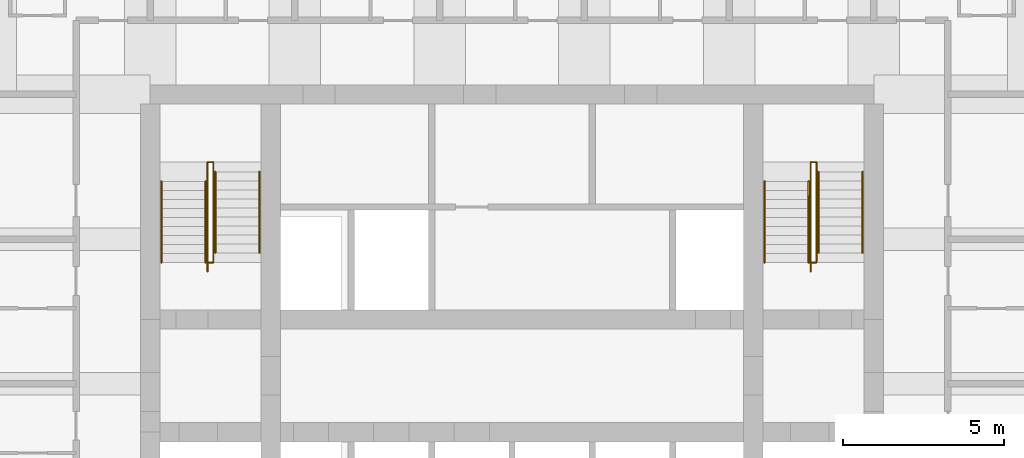
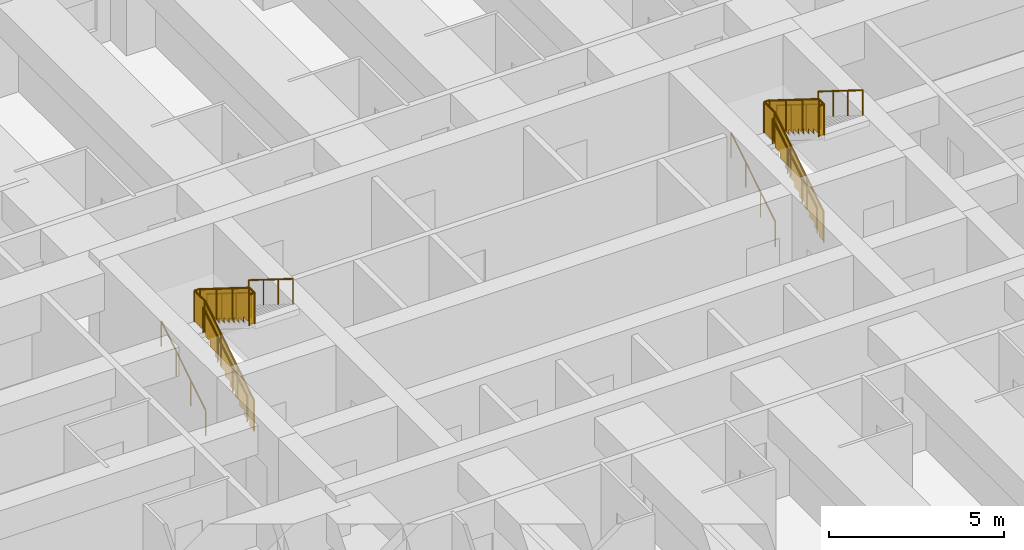
# One storey, part 8 of 8: 12 railings.
"""IFC4 building model written with IfcOpenShell, lengths in metres."""

from ifc_helpers import new_model, si_unit, direction, frame, origin, origin_2d, place, context, subcontext, project, spatial, polyline, circle, outline, extrude, material, type_object, element, save


model = new_model("IFC4")

# Units and contexts
model_context = context("Model", 3, precision=1e-05, world=origin(), true_north=direction((0.0, 1.0)))
body_context = subcontext(model_context, "Body", "Model", "MODEL_VIEW")
ifc_project = project(units=[si_unit("LENGTHUNIT", "METRE"), si_unit("AREAUNIT", "SQUARE_METRE"), si_unit("VOLUMEUNIT", "CUBIC_METRE"), si_unit("PLANEANGLEUNIT", "RADIAN"), si_unit("MASSUNIT", "GRAM", prefix="KILO")], contexts=[model_context])

# Site, building, storey
site_placement = place(None, origin())
site = spatial("IfcSite", under=ifc_project, at=site_placement, CompositionType="ELEMENT")
building_placement = place(site_placement, origin())
building = spatial("IfcBuilding", under=site, at=building_placement, Name="Kilele Tower Hotel", CompositionType="ELEMENT")
storey_placement = place(building_placement, frame((0.0, 0.0, 36.699951171875)))
storey = spatial("IfcBuildingStorey", under=building, at=storey_placement, Name="L07", CompositionType="ELEMENT", Elevation=36.699951171875)

# Railings
ifc_material_1 = material(Name="Steel handrail", Category="steel")
railing_type_1 = type_object("IfcRailingType", Name="Handrail 900", PredefinedType="HANDRAIL", material=ifc_material_1)
for number, where, name in (
    (1, (13.85009765625, 21.77490234375, 0.175048828125), "Handrail ST1 flight 1"),
    (2, (15.22509765625, 21.77490234375, 0.175048828125), "Handrail ST1 flight 1"),
):
    element("IfcRailing", number, at=place(storey_placement, frame(where)), inside=storey, type_object=railing_type_1, Name=name, PredefinedType="HANDRAIL", context=body_context, shape_type="SweptSolid", body=[
        extrude(circle(Radius=0.02490234375, at=origin_2d()), frame((0.0, 0.0, 0.875), z_axis=(0.0, 0.848007534815, 0.529984170421), x_axis=(-1.0, 0.0, 0.0)), (0.0, 0.0, 1.0), 2.9716796875),
        extrude(circle(Radius=0.02001953125, at=origin_2d()), origin(), (0.0, 0.0, 1.0), 0.849853515625),
        extrude(circle(Radius=0.02001953125, at=origin_2d()), frame((0.0, 0.840087890625, 0.52490234375)), (0.0, 0.0, 1.0), 0.849853515625),
        extrude(circle(Radius=0.02001953125, at=origin_2d()), frame((0.0, 1.679931640625, 1.050048828125)), (0.0, 0.0, 1.0), 0.849853515625),
        extrude(circle(Radius=0.02001953125, at=origin_2d()), frame((0.0, 2.52001953125, 1.574951171875)), (0.0, 0.0, 1.0), 0.849853515625),
    ])
for number, where, name in (
    (3, (15.52490234375, 24.594970703125, 1.925048828125), "Handrail ST1 flight 2"),
    (4, (16.89990234375, 24.594970703125, 1.925048828125), "Handrail ST1 flight 2"),
):
    element("IfcRailing", number, at=place(storey_placement, frame(where)), inside=storey, type_object=railing_type_1, Name=name, PredefinedType="HANDRAIL", context=body_context, shape_type="SweptSolid", body=[
        extrude(circle(Radius=0.02490234375, at=origin_2d()), frame((0.0, 0.0, 0.875), z_axis=(0.0, -0.848007534815, 0.529984170421), x_axis=(1.0, 0.0, 0.0)), (0.0, 0.0, 1.0), 2.9716796875),
        extrude(circle(Radius=0.02001953125, at=origin_2d()), origin(), (0.0, 0.0, 1.0), 0.849853515625),
        extrude(circle(Radius=0.02001953125, at=origin_2d()), frame((0.0, -0.840087890625, 0.52490234375)), (0.0, 0.0, 1.0), 0.849853515625),
        extrude(circle(Radius=0.02001953125, at=origin_2d()), frame((0.0, -1.679931640625, 1.050048828125)), (0.0, 0.0, 1.0), 0.849853515625),
        extrude(circle(Radius=0.02001953125, at=origin_2d()), frame((0.0, -2.52001953125, 1.574951171875)), (0.0, 0.0, 1.0), 0.849853515625),
    ])
for number, where, name in (
    (5, (32.60009765625, 21.77490234375, 0.175048828125), "Handrail ST2 flight 1"),
    (6, (33.97509765625, 21.77490234375, 0.175048828125), "Handrail ST2 flight 1"),
):
    element("IfcRailing", number, at=place(storey_placement, frame(where)), inside=storey, type_object=railing_type_1, Name=name, PredefinedType="HANDRAIL", context=body_context, shape_type="SweptSolid", body=[
        extrude(circle(Radius=0.02490234375, at=origin_2d()), frame((0.0, 0.0, 0.875), z_axis=(0.0, 0.848007534815, 0.529984170421), x_axis=(-1.0, 0.0, 0.0)), (0.0, 0.0, 1.0), 2.9716796875),
        extrude(circle(Radius=0.02001953125, at=origin_2d()), origin(), (0.0, 0.0, 1.0), 0.849853515625),
        extrude(circle(Radius=0.02001953125, at=origin_2d()), frame((0.0, 0.840087890625, 0.52490234375)), (0.0, 0.0, 1.0), 0.849853515625),
        extrude(circle(Radius=0.02001953125, at=origin_2d()), frame((0.0, 1.679931640625, 1.050048828125)), (0.0, 0.0, 1.0), 0.849853515625),
        extrude(circle(Radius=0.02001953125, at=origin_2d()), frame((0.0, 2.52001953125, 1.574951171875)), (0.0, 0.0, 1.0), 0.849853515625),
    ])
for number, where, name in (
    (7, (34.27490234375, 24.594970703125, 1.925048828125), "Handrail ST2 flight 2"),
    (8, (35.64990234375, 24.594970703125, 1.925048828125), "Handrail ST2 flight 2"),
):
    element("IfcRailing", number, at=place(storey_placement, frame(where)), inside=storey, type_object=railing_type_1, Name=name, PredefinedType="HANDRAIL", context=body_context, shape_type="SweptSolid", body=[
        extrude(circle(Radius=0.02490234375, at=origin_2d()), frame((0.0, 0.0, 0.875), z_axis=(0.0, -0.848007534815, 0.529984170421), x_axis=(1.0, 0.0, 0.0)), (0.0, 0.0, 1.0), 2.9716796875),
        extrude(circle(Radius=0.02001953125, at=origin_2d()), origin(), (0.0, 0.0, 1.0), 0.849853515625),
        extrude(circle(Radius=0.02001953125, at=origin_2d()), frame((0.0, -0.840087890625, 0.52490234375)), (0.0, 0.0, 1.0), 0.849853515625),
        extrude(circle(Radius=0.02001953125, at=origin_2d()), frame((0.0, -1.679931640625, 1.050048828125)), (0.0, 0.0, 1.0), 0.849853515625),
        extrude(circle(Radius=0.02001953125, at=origin_2d()), frame((0.0, -2.52001953125, 1.574951171875)), (0.0, 0.0, 1.0), 0.849853515625),
    ])
ifc_material_2 = material(Name="Steel guard", Category="steel")
railing_type_2 = type_object("IfcRailingType", Name="Stair guard 1100", PredefinedType="GUARDRAIL", material=ifc_material_2)
railing_1_placement = place(storey_placement, frame((15.284912109375, 21.4951171875, 0.0)))
element("IfcRailing", 9, at=railing_1_placement, inside=storey, type_object=railing_type_2, Name="Stair well guard ST1 flight 1", PredefinedType="GUARDRAIL", context=body_context, shape_type="SweptSolid", body=[
    extrude(circle(Radius=0.02490234375, at=origin_2d()), frame((0.0, 0.0, 1.0751953125), z_axis=(0.0, 0.847981687118, 0.530025526095), x_axis=(-1.0, 0.0, 0.0)), (0.0, 0.0, 1.0), 3.3017578125),
    extrude(circle(Radius=0.02490234375, at=origin_2d()), frame((0.0, 2.7998046875, 2.8251953125), z_axis=(0.0, 1.0, 0.0), x_axis=(-1.0, 0.0, 0.0)), (0.0, 0.0, 1.0), 0.60009765625),
    extrude(circle(Radius=0.02490234375, at=origin_2d()), frame((0.0, 3.39990234375, 2.8251953125), z_axis=(1.0, 0.0, 0.0), x_axis=(0.0, 1.0, 0.0)), (0.0, 0.0, 1.0), 0.18017578125),
    extrude(circle(Radius=0.02490234375, at=origin_2d()), origin(), (0.0, 0.0, 1.0), 1.050048828125),
    extrude(circle(Radius=0.02490234375, at=origin_2d()), frame((0.0, 0.933349609375, 0.583251953125)), (0.0, 0.0, 1.0), 1.050048828125),
    extrude(circle(Radius=0.02490234375, at=origin_2d()), frame((0.0, 1.866455078125, 1.166748046875)), (0.0, 0.0, 1.0), 1.050048828125),
    extrude(circle(Radius=0.02490234375, at=origin_2d()), frame((0.0, 2.7998046875, 1.75)), (0.0, 0.0, 1.0), 1.050048828125),
    extrude(circle(Radius=0.02490234375, at=origin_2d()), frame((0.0, 3.39990234375, 1.75)), (0.0, 0.0, 1.0), 1.050048828125),
    extrude(circle(Radius=0.02490234375, at=origin_2d()), frame((0.18017578125, 3.39990234375, 1.75)), (0.0, 0.0, 1.0), 1.050048828125),
    extrude(outline(polyline([(0.012451171875, 0.030029296875), (0.25, 0.030029296875), (0.25, 0.205078125), (0.530029296875, 0.205078125), (0.530029296875, 0.380126953125), (0.809814453125, 0.380126953125), (0.809814453125, 0.554931640625), (1.08984375, 0.554931640625), (1.08984375, 0.72998046875), (1.369873046875, 0.72998046875), (1.369873046875, 0.905029296875), (1.64990234375, 0.905029296875), (1.64990234375, 1.080078125), (1.929931640625, 1.080078125), (1.929931640625, 1.255126953125), (2.209716796875, 1.255126953125), (2.209716796875, 1.429931640625), (2.48974609375, 1.429931640625), (2.48974609375, 1.60498046875), (2.769775390625, 1.60498046875), (2.769775390625, 1.780029296875), (2.787353515625, 1.780029296875), (2.787353515625, 2.787841796875), (0.012451171875, 1.053466796875), (0.012451171875, 0.030029296875)])), frame((-0.005859375, 0.0, 0.0), z_axis=(1.0, 0.0, 0.0), x_axis=(0.0, 1.0, 0.0)), (0.0, 0.0, 1.0), 0.011962890625),
    extrude(outline(polyline([(0.012451171875, 0.030029296875), (0.587646484375, 0.030029296875), (0.587646484375, 1.050048828125), (0.012451171875, 1.050048828125), (0.012451171875, 0.030029296875)])), frame((-0.005859375, 2.7998046875, 1.75), z_axis=(1.0, 0.0, 0.0), x_axis=(0.0, 1.0, 0.0)), (0.0, 0.0, 1.0), 0.011962890625),
    extrude(outline(polyline([(0.012451171875, 0.030029296875), (0.18017578125, 0.030029296875), (0.18017578125, 1.050048828125), (0.012451171875, 1.050048828125), (0.012451171875, 0.030029296875)])), frame((0.0, 3.40576171875, 1.75), z_axis=(0.0, -1.0, 0.0), x_axis=(1.0, 0.0, 0.0)), (0.0, 0.0, 1.0), 0.011962890625),
])
railing_2_placement = place(storey_placement, frame((15.465087890625, 24.89501953125, 1.75)))
element("IfcRailing", 10, at=railing_2_placement, inside=storey, type_object=railing_type_2, Name="Stair well guard ST1 flight 2", PredefinedType="GUARDRAIL", context=body_context, shape_type="SweptSolid", body=[
    extrude(circle(Radius=0.02490234375, at=origin_2d()), frame((0.0, 0.0, 1.0751953125), z_axis=(0.0, -1.0, 0.0), x_axis=(1.0, 0.0, 0.0)), (0.0, 0.0, 1.0), 0.02001953125),
    extrude(circle(Radius=0.02490234375, at=origin_2d()), frame((0.0, -0.02001953125, 1.0751953125), z_axis=(0.0, -0.848002457836, 0.529992293815), x_axis=(1.0, 0.0, 0.0)), (0.0, 0.0, 1.0), 3.302001953125),
    extrude(circle(Radius=0.02490234375, at=origin_2d()), frame((0.0, -2.820068359375, 2.8251953125), z_axis=(0.0, -1.0, 0.0), x_axis=(1.0, 0.0, 0.0)), (0.0, 0.0, 1.0), 0.300048828125),
    extrude(circle(Radius=0.02490234375, at=origin_2d()), frame((0.0, -3.1201171875, 2.8251953125), z_axis=(-1.0, 0.0, 0.0), x_axis=(0.0, -1.0, 0.0)), (0.0, 0.0, 1.0), 0.18017578125),
    extrude(circle(Radius=0.02490234375, at=origin_2d()), origin(), (0.0, 0.0, 1.0), 1.050048828125),
    extrude(circle(Radius=0.02490234375, at=origin_2d()), frame((0.0, -0.02001953125, 0.0)), (0.0, 0.0, 1.0), 1.050048828125),
    extrude(circle(Radius=0.02490234375, at=origin_2d()), frame((0.0, -0.953369140625, 0.583251953125)), (0.0, 0.0, 1.0), 1.050048828125),
    extrude(circle(Radius=0.02490234375, at=origin_2d()), frame((0.0, -1.88671875, 1.166748046875)), (0.0, 0.0, 1.0), 1.050048828125),
    extrude(circle(Radius=0.02490234375, at=origin_2d()), frame((0.0, -2.820068359375, 1.75)), (0.0, 0.0, 1.0), 1.050048828125),
    extrude(circle(Radius=0.02490234375, at=origin_2d()), frame((0.0, -3.1201171875, 1.75)), (0.0, 0.0, 1.0), 1.050048828125),
    extrude(circle(Radius=0.02490234375, at=origin_2d()), frame((-0.18017578125, -3.1201171875, 1.75)), (0.0, 0.0, 1.0), 1.050048828125),
    extrude(outline(polyline([(0.012451171875, 0.030029296875), (0.25, 0.030029296875), (0.25, 0.205078125), (0.530029296875, 0.205078125), (0.530029296875, 0.380126953125), (0.81005859375, 0.380126953125), (0.81005859375, 0.554931640625), (1.090087890625, 0.554931640625), (1.090087890625, 0.72998046875), (1.3701171875, 0.72998046875), (1.3701171875, 0.905029296875), (1.64990234375, 0.905029296875), (1.64990234375, 1.080078125), (1.929931640625, 1.080078125), (1.929931640625, 1.255126953125), (2.2099609375, 1.255126953125), (2.2099609375, 1.429931640625), (2.489990234375, 1.429931640625), (2.489990234375, 1.60498046875), (2.77001953125, 1.60498046875), (2.77001953125, 1.780029296875), (2.78759765625, 1.780029296875), (2.78759765625, 2.787841796875), (0.012451171875, 1.053466796875), (0.012451171875, 0.030029296875)])), frame((0.005859375, -0.02001953125, 0.0), z_axis=(-1.0, 0.0, 0.0), x_axis=(0.0, -1.0, 0.0)), (0.0, 0.0, 1.0), 0.011962890625),
    extrude(outline(polyline([(0.012451171875, 0.030029296875), (0.28759765625, 0.030029296875), (0.28759765625, 1.050048828125), (0.012451171875, 1.050048828125), (0.012451171875, 0.030029296875)])), frame((0.005859375, -2.820068359375, 1.75), z_axis=(-1.0, 0.0, 0.0), x_axis=(0.0, -1.0, 0.0)), (0.0, 0.0, 1.0), 0.011962890625),
    extrude(outline(polyline([(0.012451171875, 0.030029296875), (0.18017578125, 0.030029296875), (0.18017578125, 1.050048828125), (0.012451171875, 1.050048828125), (0.012451171875, 0.030029296875)])), frame((0.0, -3.1259765625, 1.75), z_axis=(0.0, 1.0, 0.0), x_axis=(-1.0, 0.0, 0.0)), (0.0, 0.0, 1.0), 0.011962890625),
])
railing_3_placement = place(storey_placement, frame((34.034912109375, 21.4951171875, 0.0)))
element("IfcRailing", 11, at=railing_3_placement, inside=storey, type_object=railing_type_2, Name="Stair well guard ST2 flight 1", PredefinedType="GUARDRAIL", context=body_context, shape_type="SweptSolid", body=[
    extrude(circle(Radius=0.02490234375, at=origin_2d()), frame((0.0, 0.0, 1.0751953125), z_axis=(0.0, 0.847981687118, 0.530025526095), x_axis=(-1.0, 0.0, 0.0)), (0.0, 0.0, 1.0), 3.3017578125),
    extrude(circle(Radius=0.02490234375, at=origin_2d()), frame((0.0, 2.7998046875, 2.8251953125), z_axis=(0.0, 1.0, 0.0), x_axis=(-1.0, 0.0, 0.0)), (0.0, 0.0, 1.0), 0.60009765625),
    extrude(circle(Radius=0.02490234375, at=origin_2d()), frame((0.0, 3.39990234375, 2.8251953125), z_axis=(1.0, 0.0, 0.0), x_axis=(0.0, 1.0, 0.0)), (0.0, 0.0, 1.0), 0.18017578125),
    extrude(circle(Radius=0.02490234375, at=origin_2d()), origin(), (0.0, 0.0, 1.0), 1.050048828125),
    extrude(circle(Radius=0.02490234375, at=origin_2d()), frame((0.0, 0.933349609375, 0.583251953125)), (0.0, 0.0, 1.0), 1.050048828125),
    extrude(circle(Radius=0.02490234375, at=origin_2d()), frame((0.0, 1.866455078125, 1.166748046875)), (0.0, 0.0, 1.0), 1.050048828125),
    extrude(circle(Radius=0.02490234375, at=origin_2d()), frame((0.0, 2.7998046875, 1.75)), (0.0, 0.0, 1.0), 1.050048828125),
    extrude(circle(Radius=0.02490234375, at=origin_2d()), frame((0.0, 3.39990234375, 1.75)), (0.0, 0.0, 1.0), 1.050048828125),
    extrude(circle(Radius=0.02490234375, at=origin_2d()), frame((0.18017578125, 3.39990234375, 1.75)), (0.0, 0.0, 1.0), 1.050048828125),
    extrude(outline(polyline([(0.012451171875, 0.030029296875), (0.25, 0.030029296875), (0.25, 0.205078125), (0.530029296875, 0.205078125), (0.530029296875, 0.380126953125), (0.809814453125, 0.380126953125), (0.809814453125, 0.554931640625), (1.08984375, 0.554931640625), (1.08984375, 0.72998046875), (1.369873046875, 0.72998046875), (1.369873046875, 0.905029296875), (1.64990234375, 0.905029296875), (1.64990234375, 1.080078125), (1.929931640625, 1.080078125), (1.929931640625, 1.255126953125), (2.209716796875, 1.255126953125), (2.209716796875, 1.429931640625), (2.48974609375, 1.429931640625), (2.48974609375, 1.60498046875), (2.769775390625, 1.60498046875), (2.769775390625, 1.780029296875), (2.787353515625, 1.780029296875), (2.787353515625, 2.787841796875), (0.012451171875, 1.053466796875), (0.012451171875, 0.030029296875)])), frame((-0.005859375, 0.0, 0.0), z_axis=(1.0, 0.0, 0.0), x_axis=(0.0, 1.0, 0.0)), (0.0, 0.0, 1.0), 0.011962890625),
    extrude(outline(polyline([(0.012451171875, 0.030029296875), (0.587646484375, 0.030029296875), (0.587646484375, 1.050048828125), (0.012451171875, 1.050048828125), (0.012451171875, 0.030029296875)])), frame((-0.005859375, 2.7998046875, 1.75), z_axis=(1.0, 0.0, 0.0), x_axis=(0.0, 1.0, 0.0)), (0.0, 0.0, 1.0), 0.011962890625),
    extrude(outline(polyline([(0.012451171875, 0.030029296875), (0.18017578125, 0.030029296875), (0.18017578125, 1.050048828125), (0.012451171875, 1.050048828125), (0.012451171875, 0.030029296875)])), frame((0.0, 3.40576171875, 1.75), z_axis=(0.0, -1.0, 0.0), x_axis=(1.0, 0.0, 0.0)), (0.0, 0.0, 1.0), 0.011962890625),
])
railing_4_placement = place(storey_placement, frame((34.215087890625, 24.89501953125, 1.75)))
element("IfcRailing", 12, at=railing_4_placement, inside=storey, type_object=railing_type_2, Name="Stair well guard ST2 flight 2", PredefinedType="GUARDRAIL", context=body_context, shape_type="SweptSolid", body=[
    extrude(circle(Radius=0.02490234375, at=origin_2d()), frame((0.0, 0.0, 1.0751953125), z_axis=(0.0, -1.0, 0.0), x_axis=(1.0, 0.0, 0.0)), (0.0, 0.0, 1.0), 0.02001953125),
    extrude(circle(Radius=0.02490234375, at=origin_2d()), frame((0.0, -0.02001953125, 1.0751953125), z_axis=(0.0, -0.848002457836, 0.529992293815), x_axis=(1.0, 0.0, 0.0)), (0.0, 0.0, 1.0), 3.302001953125),
    extrude(circle(Radius=0.02490234375, at=origin_2d()), frame((0.0, -2.820068359375, 2.8251953125), z_axis=(0.0, -1.0, 0.0), x_axis=(1.0, 0.0, 0.0)), (0.0, 0.0, 1.0), 0.300048828125),
    extrude(circle(Radius=0.02490234375, at=origin_2d()), frame((0.0, -3.1201171875, 2.8251953125), z_axis=(-1.0, 0.0, 0.0), x_axis=(0.0, -1.0, 0.0)), (0.0, 0.0, 1.0), 0.18017578125),
    extrude(circle(Radius=0.02490234375, at=origin_2d()), origin(), (0.0, 0.0, 1.0), 1.050048828125),
    extrude(circle(Radius=0.02490234375, at=origin_2d()), frame((0.0, -0.02001953125, 0.0)), (0.0, 0.0, 1.0), 1.050048828125),
    extrude(circle(Radius=0.02490234375, at=origin_2d()), frame((0.0, -0.953369140625, 0.583251953125)), (0.0, 0.0, 1.0), 1.050048828125),
    extrude(circle(Radius=0.02490234375, at=origin_2d()), frame((0.0, -1.88671875, 1.166748046875)), (0.0, 0.0, 1.0), 1.050048828125),
    extrude(circle(Radius=0.02490234375, at=origin_2d()), frame((0.0, -2.820068359375, 1.75)), (0.0, 0.0, 1.0), 1.050048828125),
    extrude(circle(Radius=0.02490234375, at=origin_2d()), frame((0.0, -3.1201171875, 1.75)), (0.0, 0.0, 1.0), 1.050048828125),
    extrude(circle(Radius=0.02490234375, at=origin_2d()), frame((-0.18017578125, -3.1201171875, 1.75)), (0.0, 0.0, 1.0), 1.050048828125),
    extrude(outline(polyline([(0.012451171875, 0.030029296875), (0.25, 0.030029296875), (0.25, 0.205078125), (0.530029296875, 0.205078125), (0.530029296875, 0.380126953125), (0.81005859375, 0.380126953125), (0.81005859375, 0.554931640625), (1.090087890625, 0.554931640625), (1.090087890625, 0.72998046875), (1.3701171875, 0.72998046875), (1.3701171875, 0.905029296875), (1.64990234375, 0.905029296875), (1.64990234375, 1.080078125), (1.929931640625, 1.080078125), (1.929931640625, 1.255126953125), (2.2099609375, 1.255126953125), (2.2099609375, 1.429931640625), (2.489990234375, 1.429931640625), (2.489990234375, 1.60498046875), (2.77001953125, 1.60498046875), (2.77001953125, 1.780029296875), (2.78759765625, 1.780029296875), (2.78759765625, 2.787841796875), (0.012451171875, 1.053466796875), (0.012451171875, 0.030029296875)])), frame((0.005859375, -0.02001953125, 0.0), z_axis=(-1.0, 0.0, 0.0), x_axis=(0.0, -1.0, 0.0)), (0.0, 0.0, 1.0), 0.011962890625),
    extrude(outline(polyline([(0.012451171875, 0.030029296875), (0.28759765625, 0.030029296875), (0.28759765625, 1.050048828125), (0.012451171875, 1.050048828125), (0.012451171875, 0.030029296875)])), frame((0.005859375, -2.820068359375, 1.75), z_axis=(-1.0, 0.0, 0.0), x_axis=(0.0, -1.0, 0.0)), (0.0, 0.0, 1.0), 0.011962890625),
    extrude(outline(polyline([(0.012451171875, 0.030029296875), (0.18017578125, 0.030029296875), (0.18017578125, 1.050048828125), (0.012451171875, 1.050048828125), (0.012451171875, 0.030029296875)])), frame((0.0, -3.1259765625, 1.75), z_axis=(0.0, 1.0, 0.0), x_axis=(-1.0, 0.0, 0.0)), (0.0, 0.0, 1.0), 0.011962890625),
])

save(model, "model.ifc")
